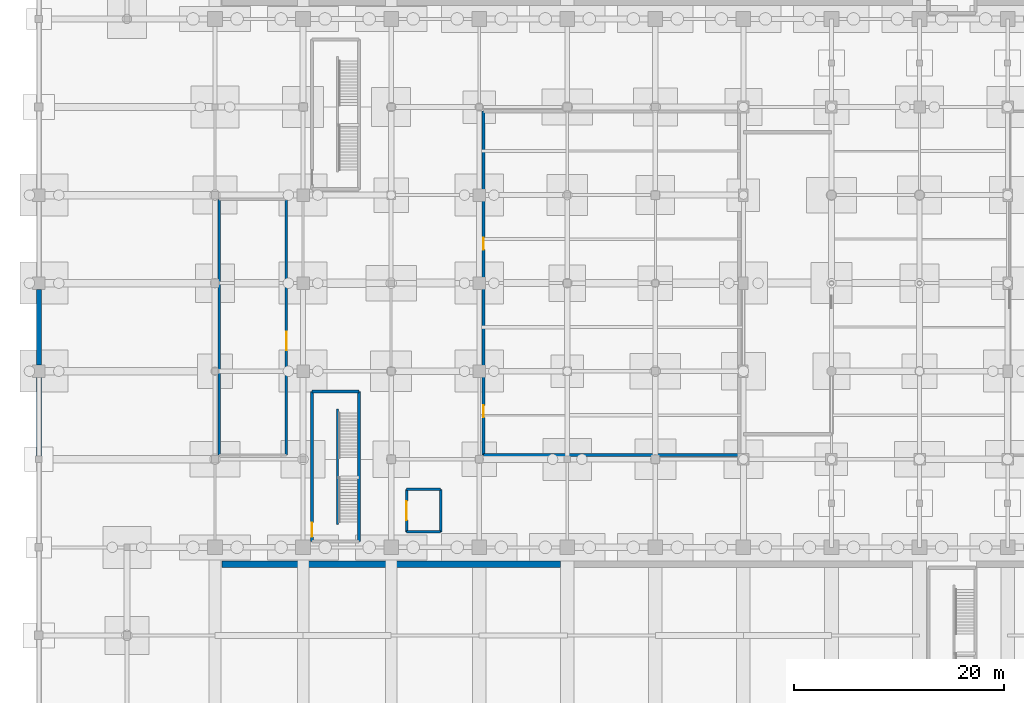
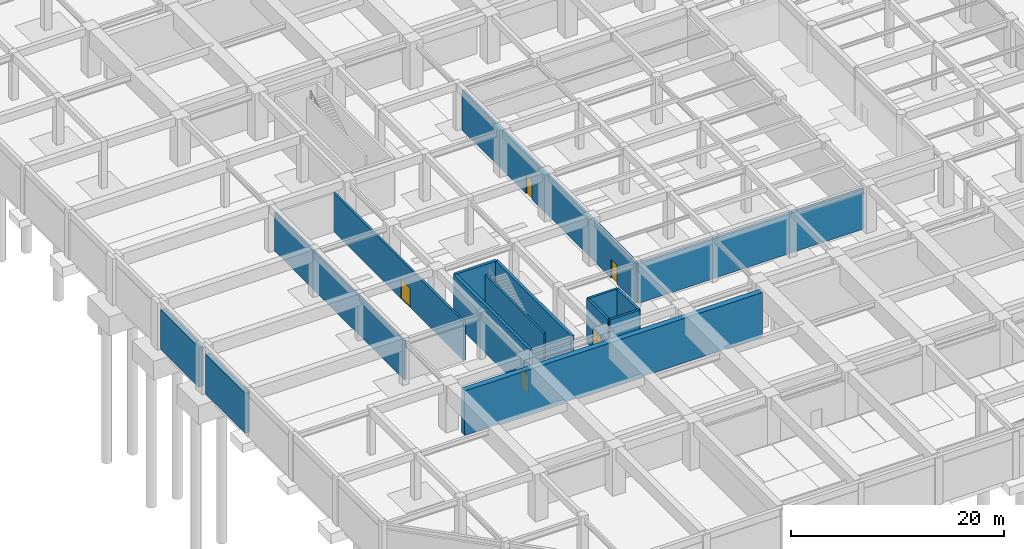
# One storey, part 18 of 26: 15 walls, 5 doors, 5 openings.
"""IFC4 building model written with IfcOpenShell, lengths in metres."""

from ifc_helpers import new_model, si_unit, direction, frame, frame_2d, origin, place, context, subcontext, project, spatial, rectangle, extrude, material, layer, layer_set, type_object, element, fill, save


model = new_model("IFC4")

# Units and contexts
model_context = context("Model", 3, precision=1e-05, world=origin(), true_north=direction((0.0, 1.0)))
body_context = subcontext(model_context, "Body", "Model", "MODEL_VIEW")
ifc_project = project(units=[si_unit("LENGTHUNIT", "METRE"), si_unit("AREAUNIT", "SQUARE_METRE"), si_unit("VOLUMEUNIT", "CUBIC_METRE"), si_unit("PLANEANGLEUNIT", "RADIAN"), si_unit("MASSUNIT", "GRAM", prefix="KILO")], contexts=[model_context])

# Site, building, storey
site_placement = place(None, origin())
site = spatial("IfcSite", under=ifc_project, at=site_placement, CompositionType="ELEMENT")
building_placement = place(site_placement, origin())
building = spatial("IfcBuilding", under=site, at=building_placement, Name="Xuanlan Plaza Opera House", CompositionType="ELEMENT")
storey_placement = place(building_placement, frame((0.0, 0.0, -5.39990234375)))
storey = spatial("IfcBuildingStorey", under=building, at=storey_placement, Name="B01", CompositionType="ELEMENT", Elevation=-5.39990234375)

# Walls
ifc_material_1 = material(Name="Concrete C50", Category="concrete")
ifc_layer_1 = layer(ifc_material_1, 0.47998046875)
ifc_layer_set_1 = layer_set([ifc_layer_1], Name="Concrete C50")
wall_type_1 = type_object("IfcWallType", Name="ENV-WL-EW-B01", PredefinedType="SHEAR", material=ifc_layer_set_1)
wall_1_placement = place(storey_placement, frame((0.0, 58.199951171875, 0.0), z_axis=(0.0, 0.0, 1.0), x_axis=(0.0, -1.0, 0.0)))
element("IfcWall", 1, at=wall_1_placement, inside=storey, type_object=wall_type_1, Name="Exterior Wall B01-054", PredefinedType="SHEAR", context=body_context, shape_type="SweptSolid", body=[
    extrude(rectangle(XDim=7.199951171875, YDim=0.47998046875, at=frame_2d((3.60009765625, 0.0))), origin(), (0.0, 0.0, 1.0), 4.579833984375),
])
wall_2_placement = place(storey_placement, frame((0.0, 49.800048828125, 0.0), z_axis=(0.0, 0.0, 1.0), x_axis=(0.0, -1.0, 0.0)))
element("IfcWall", 2, at=wall_2_placement, inside=storey, type_object=wall_type_1, Name="Exterior Wall B01-055", PredefinedType="SHEAR", context=body_context, shape_type="SweptSolid", body=[
    extrude(rectangle(XDim=7.5, YDim=0.47998046875, at=frame_2d((3.75, 0.0))), origin(), (0.0, 0.0, 1.0), 4.579833984375),
])
ifc_material_2 = material(Name="Autoclaved Aerated Blockwork Masonry", Category="masonry")
ifc_layer_2 = layer(ifc_material_2, 0.219970703125)
ifc_layer_set_2 = layer_set([ifc_layer_2], Name="Autoclaved Aerated Blockwork Masonry")
wall_type_2 = type_object("IfcWallType", Name="INT-WL-PW-06", PredefinedType="PARTITIONING", material=ifc_layer_set_2)
wall_3_placement = place(storey_placement, frame((17.199951171875, 42.39990234375, 0.0), z_axis=(0.0, 0.0, 1.0), x_axis=(0.0, 1.0, 0.0)))
element("IfcWall", 3, at=wall_3_placement, inside=storey, type_object=wall_type_2, Name="Basement Bicycle Parking Store Wall West", PredefinedType="PARTITIONING", context=body_context, shape_type="SweptSolid", body=[
    extrude(rectangle(XDim=24.400146484375, YDim=0.219970703125, at=frame_2d((12.2001953125, 0.0))), origin(), (0.0, 0.0, 1.0), 4.43994140625),
])

# Wall, opening, door
wall_4_placement = place(storey_placement, frame((23.60009765625, 42.39990234375, 0.0), z_axis=(0.0, 0.0, 1.0), x_axis=(0.0, 1.0, 0.0)))
wall_4 = element("IfcWall", 4, at=wall_4_placement, inside=storey, type_object=wall_type_2, Name="Basement Bicycle Parking Store Wall East", PredefinedType="PARTITIONING", context=body_context, shape_type="SweptSolid", body=[
    extrude(rectangle(XDim=24.400146484375, YDim=0.219970703125, at=frame_2d((12.2001953125, 0.0))), origin(), (0.0, 0.0, 1.0), 4.43994140625),
])
opening_1_placement = place(wall_4_placement, frame((10.0, 0.0, 0.0)))
opening_1 = element("IfcOpeningElement", 5, at=opening_1_placement, cuts=wall_4, Name="Opening FD-03", PredefinedType="OPENING", context=body_context, shape_type="SweptSolid", body=[
    extrude(rectangle(XDim=1.75, YDim=2.199951171875, at=frame_2d((0.875, 1.10009765625))), frame((0.0, 0.119873046875, 0.0), z_axis=(0.0, -1.0, 0.0), x_axis=(1.0, 0.0, 0.0)), (0.0, 0.0, 1.0), 0.239990234375),
])
ifc_material_3 = material(Name="Galvanised Steel Q235B", Category="steel")
door_type_1 = type_object("IfcDoorType", Name="INT-DR-FD-03", OperationType="DOUBLE_DOOR_SINGLE_SWING", PredefinedType="DOOR", material=ifc_material_3)
door_1_placement = place(opening_1_placement, origin())
door_1 = element("IfcDoor", 6, at=door_1_placement, inside=storey, type_object=door_type_1, Name="Basement Bicycle Parking Store Door 1", OperationType="DOUBLE_DOOR_SINGLE_SWING", OverallHeight=2.199951171875, OverallWidth=1.75, PredefinedType="DOOR", context=body_context, shape_type="SweptSolid", body=[
    extrude(rectangle(XDim=1.75, YDim=2.199951171875, at=frame_2d((0.875, 1.10009765625))), frame((0.0, 0.02490234375, 0.0), z_axis=(0.0, -1.0, 0.0), x_axis=(1.0, 0.0, 0.0)), (0.0, 0.0, 1.0), 0.050048828125),
])
fill(opening_1, door_1)

# Walls
ifc_material_4 = material(Name="Concrete C40", Category="concrete")
ifc_layer_3 = layer(ifc_material_4, 0.25)
ifc_layer_set_3 = layer_set([ifc_layer_3], Name="Concrete C40")
wall_type_3 = type_object("IfcWallType", Name="INT-WL-SW-LF1", PredefinedType="SHEAR", material=ifc_layer_set_3)
for number, where, z_axis, x_axis, name in (
    (7, (35.074951171875, 35.074951171875, 0.0), (0.0, 0.0, 1.0), (1.0, 0.0, 0.0), "Lift Shaft Wall LF-SC1 B01 South"),
    (8, (35.074951171875, 39.125, 0.0), (0.0, 0.0, 1.0), (1.0, 0.0, 0.0), "Lift Shaft Wall LF-SC1 B01 North"),
):
    element("IfcWall", number, at=place(storey_placement, frame(where, z_axis=z_axis, x_axis=x_axis)), inside=storey, type_object=wall_type_3, Name=name, PredefinedType="SHEAR", context=body_context, shape_type="SweptSolid", body=[
        extrude(rectangle(XDim=3.25, YDim=0.25, at=frame_2d((1.625, 0.0))), origin(), (0.0, 0.0, 1.0), 5.099853515625),
    ])

# Wall, opening, door
wall_5_placement = place(storey_placement, frame((35.074951171875, 35.074951171875, 0.0), z_axis=(0.0, 0.0, 1.0), x_axis=(0.0, 1.0, 0.0)))
wall_5 = element("IfcWall", 9, at=wall_5_placement, inside=storey, type_object=wall_type_3, Name="Lift Shaft Wall LF-SC1 B01 West", PredefinedType="SHEAR", context=body_context, shape_type="SweptSolid", body=[
    extrude(rectangle(XDim=4.050048828125, YDim=0.25, at=frame_2d((2.02490234375, 0.0))), origin(), (0.0, 0.0, 1.0), 5.099853515625),
])
opening_2_placement = place(wall_5_placement, frame((1.125, 0.0, 0.0)))
opening_2 = element("IfcOpeningElement", 10, at=opening_2_placement, cuts=wall_5, Name="Opening LD-SC1-B01", PredefinedType="OPENING", context=body_context, shape_type="SweptSolid", body=[
    extrude(rectangle(XDim=1.800048828125, YDim=2.300048828125, at=frame_2d((0.89990234375, 1.14990234375))), frame((0.0, 0.135009765625, 0.0), z_axis=(0.0, -1.0, 0.0), x_axis=(1.0, 0.0, 0.0)), (0.0, 0.0, 1.0), 0.27001953125),
])
ifc_material_5 = material(Name="Stainless Steel S30408", Category="steel")
door_type_2 = type_object("IfcDoorType", Name="INT-DR-LD-03", OperationType="DOUBLE_DOOR_SLIDING", PredefinedType="DOOR", material=ifc_material_5)
door_2_placement = place(opening_2_placement, origin())
door_2 = element("IfcDoor", 11, at=door_2_placement, inside=storey, type_object=door_type_2, Name="Lift Sliding Landing Door LF-SC1 B01", OperationType="DOUBLE_DOOR_SLIDING", OverallHeight=2.300048828125, OverallWidth=1.800048828125, PredefinedType="DOOR", context=body_context, shape_type="SweptSolid", body=[
    extrude(rectangle(XDim=1.800048828125, YDim=2.300048828125, at=frame_2d((0.89990234375, 1.14990234375))), frame((0.0, 0.02490234375, 0.0), z_axis=(0.0, -1.0, 0.0), x_axis=(1.0, 0.0, 0.0)), (0.0, 0.0, 1.0), 0.050048828125),
])
fill(opening_2, door_2)

# Walls
wall_6_placement = place(storey_placement, frame((38.324951171875, 35.074951171875, 0.0), z_axis=(0.0, 0.0, 1.0), x_axis=(0.0, 1.0, 0.0)))
element("IfcWall", 12, at=wall_6_placement, inside=storey, type_object=wall_type_3, Name="Lift Shaft Wall LF-SC1 B01 East", PredefinedType="SHEAR", context=body_context, shape_type="SweptSolid", body=[
    extrude(rectangle(XDim=4.050048828125, YDim=0.25, at=frame_2d((2.02490234375, 0.0))), origin(), (0.0, 0.0, 1.0), 5.099853515625),
])
ifc_layer_4 = layer(ifc_material_4, 0.199951171875)
ifc_layer_set_4 = layer_set([ifc_layer_4], Name="Concrete C40")
wall_type_4 = type_object("IfcWallType", Name="INT-WL-SW-SPN", PredefinedType="SHEAR", material=ifc_layer_set_4)
wall_7_placement = place(storey_placement, frame((28.5, 35.800048828125, 0.0), z_axis=(0.0, 0.0, 1.0), x_axis=(0.0, 1.0, 0.0)))
element("IfcWall", 13, at=wall_7_placement, inside=storey, type_object=wall_type_4, Name="Stair Structural Spine Wall ST-P1 B01", PredefinedType="SHEAR", context=body_context, shape_type="SweptSolid", body=[
    extrude(rectangle(XDim=11.0, YDim=0.199951171875, at=frame_2d((5.5, 0.0))), origin(), (0.0, 0.0, 1.0), 5.39990234375),
])
ifc_layer_5 = layer(ifc_material_4, 0.300048828125)
ifc_layer_set_5 = layer_set([ifc_layer_5], Name="Concrete C40")
wall_type_5 = type_object("IfcWallType", Name="INT-WL-SW-ST1", PredefinedType="SHEAR", material=ifc_layer_set_5)
wall_8_placement = place(storey_placement, frame((26.050048828125, 48.449951171875, 0.0), z_axis=(0.0, 0.0, 1.0), x_axis=(1.0, 0.0, 0.0)))
element("IfcWall", 14, at=wall_8_placement, inside=storey, type_object=wall_type_5, Name="Stair Core Wall ST-P1 B01 North", PredefinedType="SHEAR", context=body_context, shape_type="SweptSolid", body=[
    extrude(rectangle(XDim=4.5, YDim=0.300048828125, at=frame_2d((2.25, 0.0))), origin(), (0.0, 0.0, 1.0), 5.39990234375),
])

# Wall, opening, door
wall_9_placement = place(storey_placement, frame((26.050048828125, 34.14990234375, 0.0), z_axis=(0.0, 0.0, 1.0), x_axis=(0.0, 1.0, 0.0)))
wall_9 = element("IfcWall", 15, at=wall_9_placement, inside=storey, type_object=wall_type_5, Name="Stair Core Wall ST-P1 B01 West", PredefinedType="SHEAR", context=body_context, shape_type="SweptSolid", body=[
    extrude(rectangle(XDim=14.300048828125, YDim=0.300048828125, at=frame_2d((7.14990234375, 0.0))), origin(), (0.0, 0.0, 1.0), 5.39990234375),
])
opening_3_placement = place(wall_9_placement, frame((0.449951171875, 0.0, 0.0)))
opening_3 = element("IfcOpeningElement", 16, at=opening_3_placement, cuts=wall_9, Name="Opening FD-ST2", PredefinedType="OPENING", context=body_context, shape_type="SweptSolid", body=[
    extrude(rectangle(XDim=1.35009765625, YDim=2.14990234375, at=frame_2d((0.675048828125, 1.074951171875))), frame((0.0, 0.159912109375, 0.0), z_axis=(0.0, -1.0, 0.0), x_axis=(1.0, 0.0, 0.0)), (0.0, 0.0, 1.0), 0.320068359375),
])
door_type_3 = type_object("IfcDoorType", Name="INT-DR-FD-ST2", OperationType="NOTDEFINED", PredefinedType="DOOR", material=ifc_material_3)
door_3_placement = place(opening_3_placement, frame((1.35009765625, 0.0, 0.0), z_axis=(0.0, 0.0, 1.0), x_axis=(-1.0, 0.0, 0.0)))
door_3 = element("IfcDoor", 17, at=door_3_placement, inside=storey, type_object=door_type_3, Name="Stair Enclosure Fire Door ST-P1 B01", OperationType="SINGLE_SWING_LEFT", OverallHeight=2.14990234375, OverallWidth=1.35009765625, PredefinedType="DOOR", context=body_context, shape_type="SweptSolid", body=[
    extrude(rectangle(XDim=1.35009765625, YDim=2.14990234375, at=frame_2d((0.675048828125, 1.074951171875))), frame((0.0, 0.02490234375, 0.0), z_axis=(0.0, -1.0, 0.0), x_axis=(1.0, 0.0, 0.0)), (0.0, 0.0, 1.0), 0.050048828125),
])
fill(opening_3, door_3)

# Walls
wall_10_placement = place(storey_placement, frame((30.550048828125, 34.14990234375, 0.0), z_axis=(0.0, 0.0, 1.0), x_axis=(0.0, 1.0, 0.0)))
element("IfcWall", 18, at=wall_10_placement, inside=storey, type_object=wall_type_5, Name="Stair Core Wall ST-P1 B01 East", PredefinedType="SHEAR", context=body_context, shape_type="SweptSolid", body=[
    extrude(rectangle(XDim=14.300048828125, YDim=0.300048828125, at=frame_2d((7.14990234375, 0.0))), origin(), (0.0, 0.0, 1.0), 5.39990234375),
])
wall_11_placement = place(storey_placement, frame((42.39990234375, 42.39990234375, 0.0), z_axis=(0.0, 0.0, 1.0), x_axis=(1.0, 0.0, 0.0)))
element("IfcWall", 19, at=wall_11_placement, inside=storey, type_object=wall_type_5, Name="Understage Trap and Machinery Room Wall South", PredefinedType="SHEAR", context=body_context, shape_type="SweptSolid", body=[
    extrude(rectangle(XDim=24.400146484375, YDim=0.300048828125, at=frame_2d((12.2001953125, 0.0))), origin(), (0.0, 0.0, 1.0), 4.5498046875),
])

# Wall, openings, doors
wall_12_placement = place(storey_placement, frame((42.39990234375, 42.39990234375, 0.0), z_axis=(0.0, 0.0, 1.0), x_axis=(0.0, 1.0, 0.0)))
wall_12 = element("IfcWall", 20, at=wall_12_placement, inside=storey, type_object=wall_type_5, Name="Understage Trap and Machinery Room Wall West", PredefinedType="SHEAR", context=body_context, shape_type="SweptSolid", body=[
    extrude(rectangle(XDim=32.800048828125, YDim=0.300048828125, at=frame_2d((16.39990234375, 0.0))), origin(), (0.0, 0.0, 1.0), 4.5498046875),
])
opening_4_placement = place(wall_12_placement, frame((3.60009765625, 0.0, 0.0)))
opening_4 = element("IfcOpeningElement", 21, at=opening_4_placement, cuts=wall_12, Name="Opening FD-01", PredefinedType="OPENING", context=body_context, shape_type="SweptSolid", body=[
    extrude(rectangle(XDim=1.14990234375, YDim=2.14990234375, at=frame_2d((0.574951171875, 1.074951171875))), frame((0.0, 0.159912109375, 0.0), z_axis=(0.0, -1.0, 0.0), x_axis=(1.0, 0.0, 0.0)), (0.0, 0.0, 1.0), 0.320068359375),
])
opening_5_placement = place(wall_12_placement, frame((19.60009765625, 0.0, 0.0)))
opening_5 = element("IfcOpeningElement", 22, at=opening_5_placement, cuts=wall_12, Name="Opening FD-01", PredefinedType="OPENING", context=body_context, shape_type="SweptSolid", body=[
    extrude(rectangle(XDim=1.14990234375, YDim=2.14990234375, at=frame_2d((0.574951171875, 1.074951171875))), frame((0.0, 0.159912109375, 0.0), z_axis=(0.0, -1.0, 0.0), x_axis=(1.0, 0.0, 0.0)), (0.0, 0.0, 1.0), 0.320068359375),
])
door_type_4 = type_object("IfcDoorType", Name="INT-DR-FD-01", OperationType="NOTDEFINED", PredefinedType="DOOR", material=ifc_material_3)
door_4_placement = place(opening_4_placement, origin())
door_4 = element("IfcDoor", 23, at=door_4_placement, inside=storey, type_object=door_type_4, Name="Understage Trap and Machinery Room Door 1", OperationType="SINGLE_SWING_LEFT", OverallHeight=2.14990234375, OverallWidth=1.14990234375, PredefinedType="DOOR", context=body_context, shape_type="SweptSolid", body=[
    extrude(rectangle(XDim=1.14990234375, YDim=2.14990234375, at=frame_2d((0.574951171875, 1.074951171875))), frame((0.0, 0.02490234375, 0.0), z_axis=(0.0, -1.0, 0.0), x_axis=(1.0, 0.0, 0.0)), (0.0, 0.0, 1.0), 0.050048828125),
])
fill(opening_4, door_4)
door_5_placement = place(opening_5_placement, origin())
door_5 = element("IfcDoor", 24, at=door_5_placement, inside=storey, type_object=door_type_4, Name="Understage Trap and Machinery Room Door 2", OperationType="SINGLE_SWING_RIGHT", OverallHeight=2.14990234375, OverallWidth=1.14990234375, PredefinedType="DOOR", context=body_context, shape_type="SweptSolid", body=[
    extrude(rectangle(XDim=1.14990234375, YDim=2.14990234375, at=frame_2d((0.574951171875, 1.074951171875))), frame((0.0, 0.02490234375, 0.0), z_axis=(0.0, -1.0, 0.0), x_axis=(1.0, 0.0, 0.0)), (0.0, 0.0, 1.0), 0.050048828125),
])
fill(opening_5, door_5)

# Wall
ifc_layer_6 = layer(ifc_material_1, 0.60009765625)
ifc_layer_set_6 = layer_set([ifc_layer_6], Name="Concrete C50")
wall_type_6 = type_object("IfcWallType", Name="STR-WL-SW-M1", PredefinedType="SHEAR", material=ifc_layer_set_6)
wall_13_placement = place(storey_placement, frame((17.449951171875, 32.0, 0.0), z_axis=(0.0, 0.0, 1.0), x_axis=(1.0, 0.0, 0.0)))
element("IfcWall", 25, at=wall_13_placement, inside=storey, type_object=wall_type_6, Name="Metro Tunnel Protection Wall M2-01", PredefinedType="SHEAR", context=body_context, shape_type="SweptSolid", body=[
    extrude(rectangle(XDim=32.300048828125, YDim=0.60009765625, at=frame_2d((16.14990234375, 0.0))), origin(), (0.0, 0.0, 1.0), 5.099853515625),
])

save(model, "model.ifc")
